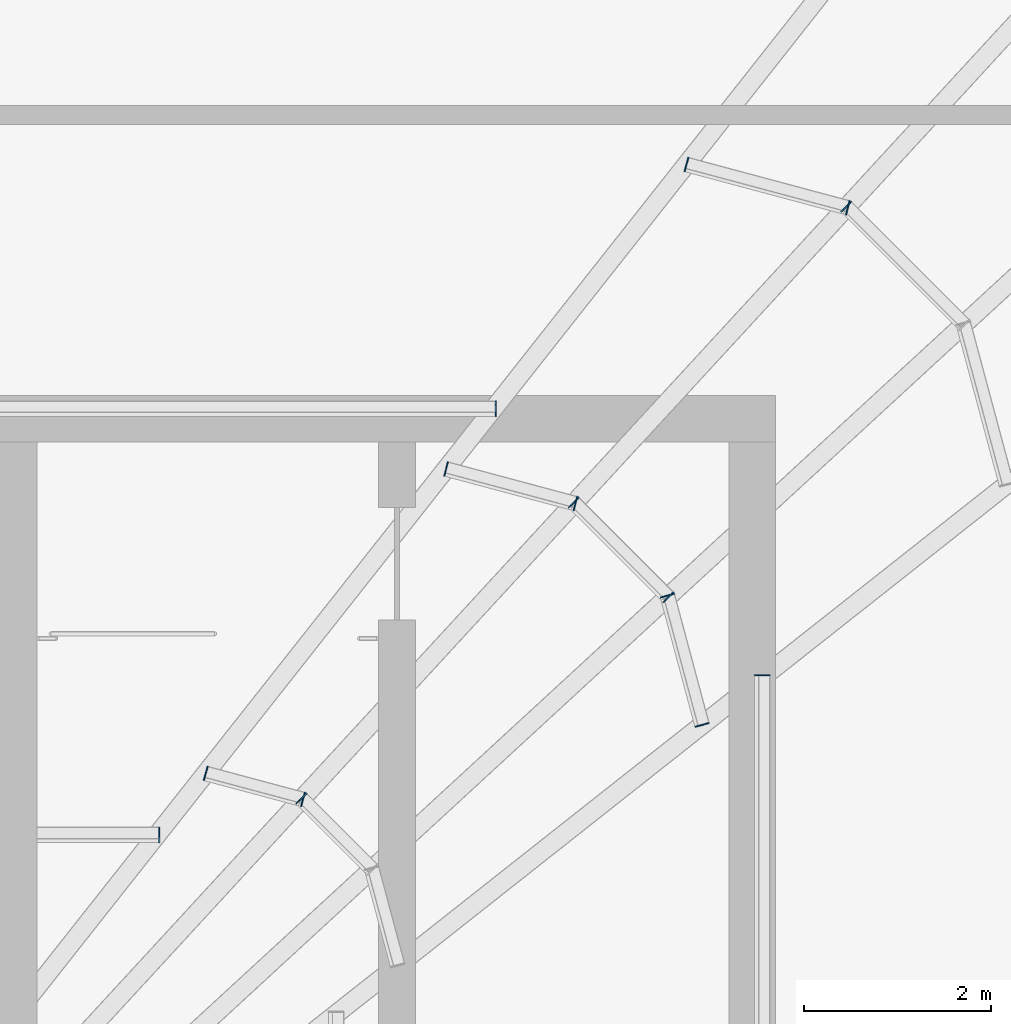
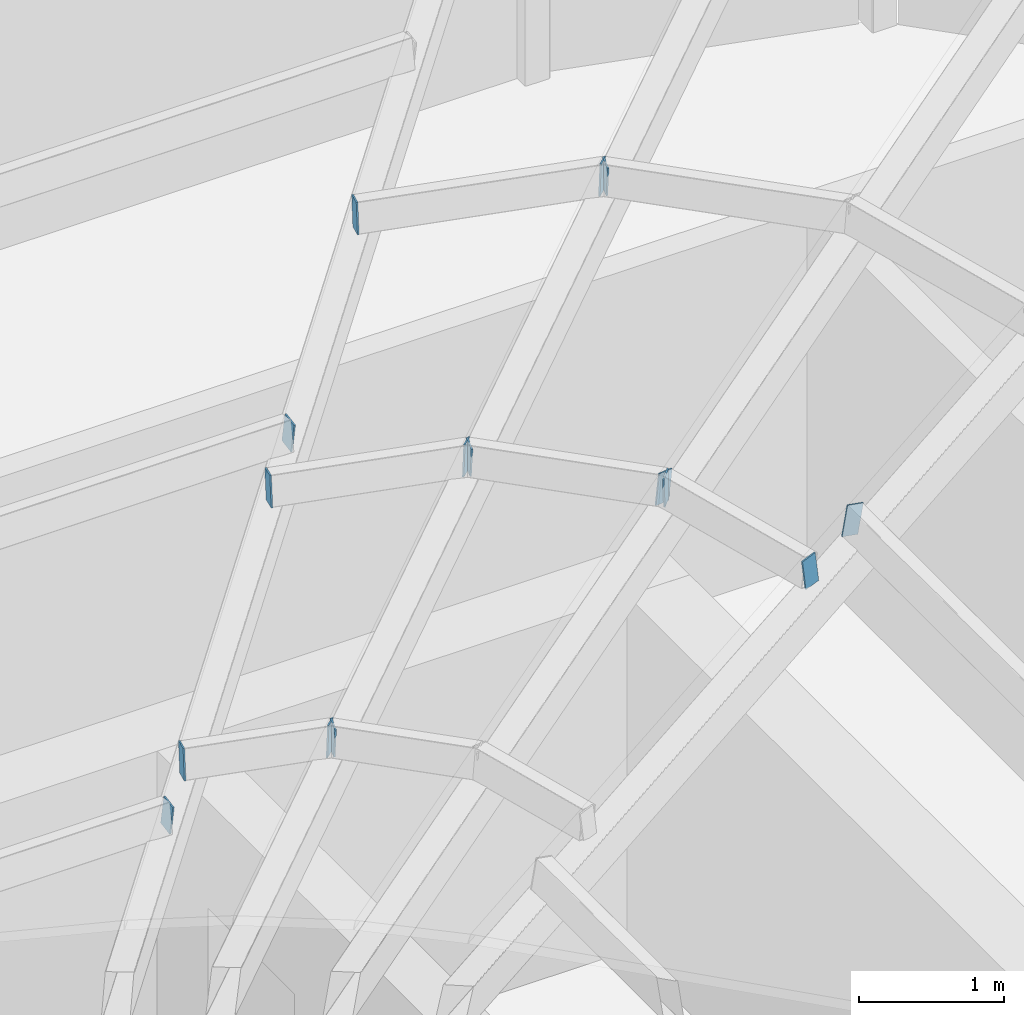
# One storey, part 39 of 46: 15 discrete accessories.
"""IFC4 building model written with IfcOpenShell, lengths in metres."""

import ifcopenshell
import ifcopenshell.guid

model = None  # the IFC model being written
_history = None  # IfcOwnerHistory: only IFC2X3 demands one
_inside = {}  # id of a spatial element -> (the spatial element, [elements in it])
_under = {}  # id of a project, library or spatial element -> (it, [spatial elements below it])
_declared = {}  # id of a project -> (the project, [libraries it declares])
_typed = {}  # id of a type object -> (the type object, [elements of that type])
_made_of = {}  # id of a material, layer set ... -> (it, [elements and type objects made of it])


def new_model(schema):
    """Start an empty IFC model of exactly this schema.

    Asked for "IFC4X3", IfcOpenShell would pick the latest addendum, in which some entities
    have other attributes; the version numbers below select the first issue.
    IFC2X3 requires an IfcOwnerHistory on every rooted entity: one is made here for all.
    """
    global model, _history
    if schema == "IFC4X3":
        model = ifcopenshell.file(schema_version=(4, 3, 0, 0))
    else:
        model = ifcopenshell.file(schema=schema)
    _inside.clear()
    _under.clear()
    _declared.clear()
    _typed.clear()
    _made_of.clear()
    _history = None
    if model.schema == "IFC2X3":
        org = make("IfcOrganization", Name="unknown")
        user = make(
            "IfcPersonAndOrganization",
            ThePerson=make("IfcPerson", FamilyName="unknown"),
            TheOrganization=org,
        )
        app = make(
            "IfcApplication",
            ApplicationDeveloper=org,
            Version="unknown",
            ApplicationFullName="unknown",
            ApplicationIdentifier="unknown",
        )
        _history = make(
            "IfcOwnerHistory",
            OwningUser=user,
            OwningApplication=app,
            ChangeAction="ADDED",
            CreationDate=0,
        )
    return model


def make(cls, **values):
    """One entity of the class cls with the attributes given. An attribute that is None is left unset."""
    return model.create_entity(
        cls, **{name: value for name, value in values.items() if value is not None}
    )


def rooted(cls, **values):
    """An entity with a GlobalId (a new one), such as an element, a storey or a relation."""
    return make(cls, GlobalId=ifcopenshell.guid.new(), OwnerHistory=_history, **values)


def si_unit(unit_type, name, prefix=None):
    """IfcSIUnit, for example si_unit("LENGTHUNIT", "METRE", prefix="MILLI")."""
    return make("IfcSIUnit", UnitType=unit_type, Prefix=prefix, Name=name)


def assignment(units):
    """IfcUnitAssignment: the units of a project."""
    return None if units is None else make("IfcUnitAssignment", Units=units)


def point(xyz):
    """IfcCartesianPoint."""
    return None if xyz is None else make("IfcCartesianPoint", Coordinates=xyz)


def direction(xyz):
    """IfcDirection."""
    return None if xyz is None else make("IfcDirection", DirectionRatios=xyz)


def frame(location, z_axis=None, x_axis=None):
    """IfcAxis2Placement3D, a coordinate frame: its origin and axes. An axis left out is left unset."""
    return make(
        "IfcAxis2Placement3D",
        Location=point(location),
        Axis=direction(z_axis),
        RefDirection=direction(x_axis),
    )


def frame_2d(location, x_axis=None):
    """IfcAxis2Placement2D, a coordinate frame in the plane: its origin and x axis."""
    return make(
        "IfcAxis2Placement2D", Location=point(location), RefDirection=direction(x_axis)
    )


def origin():
    """The frame at (0, 0, 0) with its axes left unset."""
    return frame((0.0, 0.0, 0.0))


def origin_2d():
    """The frame at (0, 0) in the plane with its x axis left unset."""
    return frame_2d((0.0, 0.0))


def place(relative_to, where):
    """IfcLocalPlacement: puts the frame where relative to a parent placement (None: the world)."""
    return make(
        "IfcLocalPlacement", PlacementRelTo=relative_to, RelativePlacement=where
    )


def context(
    kind, dimensions, precision=None, world=None, true_north=None, identifier=None
):
    """IfcGeometricRepresentationContext, for example the 3D "Model" context."""
    return make(
        "IfcGeometricRepresentationContext",
        ContextIdentifier=identifier,
        ContextType=kind,
        CoordinateSpaceDimension=dimensions,
        Precision=precision,
        WorldCoordinateSystem=world,
        TrueNorth=true_north,
    )


def subcontext(parent, identifier, kind, view, scale=None):
    """IfcGeometricRepresentationSubContext, for example "Body" below "Model"."""
    return make(
        "IfcGeometricRepresentationSubContext",
        ContextIdentifier=identifier,
        ContextType=kind,
        ParentContext=parent,
        TargetScale=scale,
        TargetView=view,
    )


def project(units=None, contexts=None):
    """IfcProject with its units and contexts."""
    return rooted(
        "IfcProject",
        Name="project",
        RepresentationContexts=contexts,
        UnitsInContext=assignment(units),
    )


def spatial(cls, under=None, at=None, **own):
    """A site, building, storey or space (cls), placed at a placement, below another one or the project."""
    s = rooted(cls, ObjectPlacement=at, **own)
    if under is not None:
        _under.setdefault(under.id(), (under, []))[1].append(s)
    return s


def profile(cls, at=None, kind="AREA", **sizes):
    """A parametric profile (cls). Its sizes go by their IFC names, for example OverallWidth=200.0."""
    return make(cls, ProfileType=kind, Position=at, **sizes)


def rectangle(**sizes):
    """IfcRectangleProfileDef."""
    return profile("IfcRectangleProfileDef", **sizes)


def extrude(swept, where, along, depth):
    """IfcExtrudedAreaSolid: the profile swept, set in the frame where, extruded along a direction by depth."""
    return make(
        "IfcExtrudedAreaSolid",
        SweptArea=swept,
        Position=where,
        ExtrudedDirection=direction(along),
        Depth=depth,
    )


def shape(context_of_items, identifier, shape_type, items):
    """IfcShapeRepresentation: the items that make up one representation, for example the "Body"."""
    return make(
        "IfcShapeRepresentation",
        ContextOfItems=context_of_items,
        RepresentationIdentifier=identifier,
        RepresentationType=shape_type,
        Items=items,
    )


def material(Name=None, Category=None):
    """IfcMaterial."""
    return make("IfcMaterial", Name=Name, Category=Category)


def made_of(thing, what):
    """Note that an element or type object is made of a material, layer set ...; save() writes the relation."""
    if what is not None:
        _made_of.setdefault(what.id(), (what, []))[1].append(thing)
    return thing


def type_object(cls, material=None, **own):
    """A type object (cls), such as IfcWallType, which elements share."""
    return made_of(rooted(cls, **own), material)


def element(
    cls,
    number,
    at=None,
    inside=None,
    cuts=None,
    type_object=None,
    material=None,
    context=None,
    identifier="Body",
    shape_type=None,
    held_by="IfcProductDefinitionShape",
    body=None,
    shapes=None,
    **own,
):
    """One element of the class cls, such as IfcWall. Its Tag is "e" and its number.

    at: its placement. inside: the storey or other place that contains it. cuts: it is an
    opening in that element (IfcRelVoidsElement). A single representation is given by context,
    identifier, shape_type and body (its items); several are given by shapes. held_by: the class
    of the entity that holds the representations. save() writes the other relations.
    """
    e = rooted(cls, Tag="e%d" % number, ObjectPlacement=at, **own)
    if body is not None:
        shapes = [shape(context, identifier, shape_type, body)]
    if shapes is not None:
        e.Representation = make(held_by, Representations=shapes)
    if inside is not None:
        _inside.setdefault(inside.id(), (inside, []))[1].append(e)
    if cuts is not None:
        rooted(
            "IfcRelVoidsElement", RelatingBuildingElement=cuts, RelatedOpeningElement=e
        )
    if type_object is not None:
        _typed.setdefault(type_object.id(), (type_object, []))[1].append(e)
    return made_of(e, material)


def aggregate(whole, parts):
    """IfcRelAggregates: a whole, such as a stair, and the parts it consists of."""
    return rooted("IfcRelAggregates", RelatingObject=whole, RelatedObjects=parts)


def save(model, path):
    """Write the relations noted so far, then the file.

    IfcRelAggregates (storeys below a building ...), IfcRelContainedInSpatialStructure (elements
    in a storey), IfcRelDefinesByType, IfcRelAssociatesMaterial and IfcRelDeclares: one each for
    every whole, place, type object, material and project.
    """
    for whole, parts in _under.values():
        aggregate(whole, parts)
    for where, things in _inside.values():
        rooted(
            "IfcRelContainedInSpatialStructure",
            RelatedElements=things,
            RelatingStructure=where,
        )
    for kind, things in _typed.values():
        rooted("IfcRelDefinesByType", RelatedObjects=things, RelatingType=kind)
    for what, things in _made_of.values():
        rooted("IfcRelAssociatesMaterial", RelatedObjects=things, RelatingMaterial=what)
    for by, libraries in _declared.values():
        rooted("IfcRelDeclares", RelatingContext=by, RelatedDefinitions=libraries)
    model.write(path)


model = new_model("IFC4")

# Units and contexts
model_context = context("Model", 3, precision=1e-05, world=origin(), true_north=direction((0.0, 1.0)))
body_context = subcontext(model_context, "Body", "Model", "MODEL_VIEW")
ifc_project = project(units=[si_unit("LENGTHUNIT", "METRE"), si_unit("AREAUNIT", "SQUARE_METRE"), si_unit("VOLUMEUNIT", "CUBIC_METRE"), si_unit("PLANEANGLEUNIT", "RADIAN"), si_unit("MASSUNIT", "GRAM", prefix="KILO")], contexts=[model_context])

# Site, building, storey
site_placement = place(None, origin())
site = spatial("IfcSite", under=ifc_project, at=site_placement, CompositionType="ELEMENT")
building_placement = place(site_placement, origin())
building = spatial("IfcBuilding", under=site, at=building_placement, Name="Madar Terraces", CompositionType="ELEMENT")
storey_placement = place(building_placement, frame((0.0, 0.0, 317.300048828125)))
storey = spatial("IfcBuildingStorey", under=building, at=storey_placement, Name="L82", CompositionType="ELEMENT", Elevation=317.300048828125)

# Discrete accessories
ifc_material = material(Name="Steel plate ASTM A36, galvanised", Category="steel")
discrete_accessory_type = type_object("IfcDiscreteAccessoryType", Name="Hollow section end plate", PredefinedType="BRACKET", material=ifc_material)
discrete_accessory_1_placement = place(storey_placement, frame((44.39990234375, 37.657958984375, 5.029052734375), z_axis=(1.0, 0.0, 0.0), x_axis=(0.0, 0.984957023705, 0.172799483372)))
element("IfcDiscreteAccessory", 1, at=discrete_accessory_1_placement, inside=storey, type_object=discrete_accessory_type, Name="Hollow section end plate", PredefinedType="BRACKET", context=body_context, shape_type="SweptSolid", body=[
    extrude(rectangle(XDim=0.126953125, YDim=0.25390625, at=origin_2d()), origin(), (0.0, 0.0, 1.0), 0.01220703125),
])
for number, where, z_axis, x_axis, name in (
    (2, (40.800048828125, 33.09814453125, 5.8291015625), (1.0, 0.0, 0.0), (0.0, 0.984957023705, 0.172799483372), "Hollow section end plate"),
    (3, (47.258056640625, 34.800048828125, 5.029052734375), (0.0, 1.0, 0.0), (-0.984957023705, 0.0, 0.172799483372), "Hollow section end plate"),
    (4, (46.612060546875, 34.28125, 5.142578125), (0.266586054538, -0.963811120254, 0.0), (0.95510758435, 0.264178693544, 0.13408624163), "Hollow section end plate"),
    (5, (46.24462890625, 35.65283203125, 5.142578125), (-0.266586054538, 0.963811120254, 0.0), (-0.95510758435, -0.264178693544, 0.13408624163), "Hollow section end plate"),
    (6, (48.15966796875, 39.814453125, 4.571044921875), (-0.707106781187, 0.707106781187, 0.0), (-0.700941463334, -0.700941463334, 0.131765435371), "Hollow section end plate"),
    (7, (46.249267578125, 35.645263671875, 5.142578125), (0.707106781187, -0.707106781187, 0.0), (0.700941463334, 0.700941463334, 0.131765435371), "Hollow section end plate"),
    (8, (45.245361328125, 36.649169921875, 5.142578125), (-0.707106781187, 0.707106781187, 0.0), (-0.700941463334, -0.700941463334, 0.131765435371), "Hollow section end plate"),
    (9, (42.3310546875, 33.48388671875, 5.7138671875), (-0.707106781187, 0.707106781187, 0.0), (-0.700941463334, -0.700941463334, 0.131765435371), "Hollow section end plate"),
    (10, (48.1669921875, 39.809814453125, 4.5712890625), (0.970142500145, -0.242535625036, 0.0), (0.240345447442, 0.961381789769, 0.13408624163), "Hollow section end plate"),
    (11, (46.45263671875, 40.269287109375, 4.5712890625), (-0.963811120254, 0.266586054538, 0.0), (-0.264178693544, -0.95510758435, 0.13408624163), "Hollow section end plate"),
    (12, (45.252685546875, 36.64453125, 5.142578125), (0.970142500145, -0.242535625036, 0.0), (0.240345447442, 0.961381789769, 0.13408624163), "Hollow section end plate"),
    (13, (43.88134765625, 37.01220703125, 5.142578125), (-0.970142500145, 0.242535625036, 0.0), (-0.240345447442, -0.961381789769, 0.13408624163), "Hollow section end plate"),
):
    element("IfcDiscreteAccessory", number, at=place(storey_placement, frame(where, z_axis=z_axis, x_axis=x_axis)), inside=storey, type_object=discrete_accessory_type, Name=name, PredefinedType="BRACKET", context=body_context, shape_type="SweptSolid", body=[
        extrude(rectangle(XDim=0.126953125, YDim=0.25390625, at=origin_2d()), origin(), (0.0, 0.0, 1.0), 0.011962890625),
    ])
discrete_accessory_2_placement = place(storey_placement, frame((42.33837890625, 33.4794921875, 5.714111328125), z_axis=(0.96522637192, -0.261415475728, 0.0), x_axis=(0.259054806785, 0.956510055821, 0.13408624163)))
element("IfcDiscreteAccessory", 14, at=discrete_accessory_2_placement, inside=storey, type_object=discrete_accessory_type, Name="Hollow section end plate", PredefinedType="BRACKET", context=body_context, shape_type="SweptSolid", body=[
    extrude(rectangle(XDim=0.126953125, YDim=0.25390625, at=origin_2d()), origin(), (0.0, 0.0, 1.0), 0.01220703125),
])
discrete_accessory_3_placement = place(storey_placement, frame((41.309814453125, 33.7548828125, 5.714111328125), z_axis=(-0.963811120254, 0.266586054538, 0.0), x_axis=(-0.264178693544, -0.95510758435, 0.13408624163)))
element("IfcDiscreteAccessory", 15, at=discrete_accessory_3_placement, inside=storey, type_object=discrete_accessory_type, Name="Hollow section end plate", PredefinedType="BRACKET", context=body_context, shape_type="SweptSolid", body=[
    extrude(rectangle(XDim=0.126953125, YDim=0.25390625, at=origin_2d()), origin(), (0.0, 0.0, 1.0), 0.011962890625),
])

save(model, "model.ifc")
